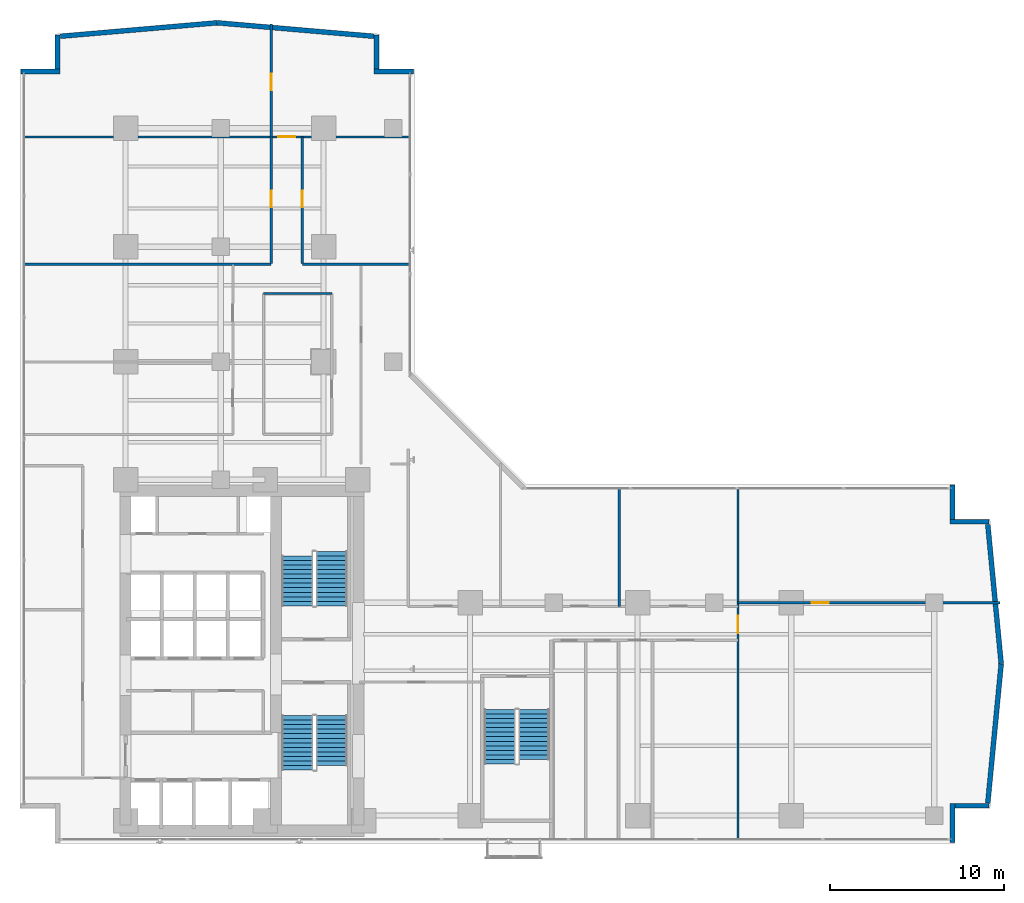
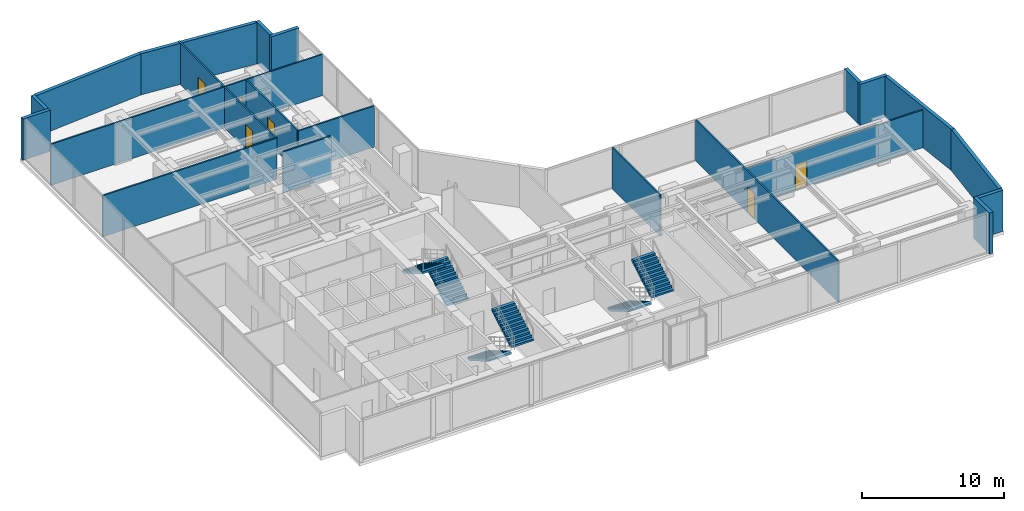
# One storey, part 21 of 26: 22 walls, 6 doors, 6 stair flights, 6 openings, 3 elements without a shape of their own.
"""IFC4 building model written with IfcOpenShell, lengths in metres."""

from ifc_helpers import new_model, si_unit, direction, frame, frame_2d, origin, place, context, subcontext, project, spatial, polyline, rectangle, outline, extrude, material, layer, layer_set, type_object, element, fill, aggregate, save


model = new_model("IFC4")

# Units and contexts
model_context = context("Model", 3, precision=1e-05, world=origin(), true_north=direction((0.0, 1.0)))
body_context = subcontext(model_context, "Body", "Model", "MODEL_VIEW")
ifc_project = project(units=[si_unit("LENGTHUNIT", "METRE"), si_unit("AREAUNIT", "SQUARE_METRE"), si_unit("VOLUMEUNIT", "CUBIC_METRE"), si_unit("PLANEANGLEUNIT", "RADIAN"), si_unit("MASSUNIT", "GRAM", prefix="KILO")], contexts=[model_context])

# Site, building, storey
site_placement = place(None, origin())
site = spatial("IfcSite", under=ifc_project, at=site_placement, CompositionType="ELEMENT")
building_placement = place(site_placement, origin())
building = spatial("IfcBuilding", under=site, at=building_placement, Name="Kolvaren Waterfront Exchange", CompositionType="ELEMENT")
storey_placement = place(building_placement, frame((0.0, 0.0, 125.89990234375)))
storey = spatial("IfcBuildingStorey", under=building, at=storey_placement, Name="L32", CompositionType="ELEMENT", Elevation=125.89990234375)

# Walls
ifc_material_1 = material(Name="Precast concrete C40/50", Category="concrete")
ifc_layer_1 = layer(ifc_material_1, 0.280029296875, Name="Precast concrete C40/50")
ifc_layer_set_1 = layer_set([ifc_layer_1], Name="Precast concrete C40/50")
wall_type_1 = type_object("IfcWallType", Name="ARC-EXT-TERR-280", PredefinedType="SOLIDWALL", material=ifc_layer_set_1)
wall_1_placement = place(storey_placement, frame((54.840087890625, 3.659912109375, 0.0), z_axis=(0.0, 0.0, 1.0), x_axis=(0.0, 1.0, 0.0)))
element("IfcWall", 1, at=wall_1_placement, inside=storey, type_object=wall_type_1, Name="L32 notched corner spandrel pier SE-A", PredefinedType="SOLIDWALL", context=body_context, shape_type="SweptSolid", body=[
    extrude(rectangle(XDim=2.239990234375, YDim=0.280029296875, at=frame_2d((1.1201171875, 0.0))), origin(), (0.0, 0.0, 1.0), 3.5400390625),
])
wall_2_placement = place(storey_placement, frame((54.97998046875, 5.760009765625, 0.0), z_axis=(0.0, 0.0, 1.0), x_axis=(1.0, 0.0, 0.0)))
element("IfcWall", 2, at=wall_2_placement, inside=storey, type_object=wall_type_1, Name="L32 notched corner spandrel pier SE-B", PredefinedType="SOLIDWALL", context=body_context, shape_type="SweptSolid", body=[
    extrude(rectangle(XDim=1.9599609375, YDim=0.280029296875, at=frame_2d((0.97998046875, 0.0))), origin(), (0.0, 0.0, 1.0), 3.5400390625),
])
wall_3_placement = place(storey_placement, frame((54.840087890625, 22.1650390625, 0.0), z_axis=(0.0, 0.0, 1.0), x_axis=(0.0, 1.0, 0.0)))
element("IfcWall", 3, at=wall_3_placement, inside=storey, type_object=wall_type_1, Name="L32 notched corner spandrel pier ENE-A", PredefinedType="SOLIDWALL", context=body_context, shape_type="SweptSolid", body=[
    extrude(rectangle(XDim=1.974853515625, YDim=0.280029296875, at=frame_2d((0.9873046875, 0.0))), origin(), (0.0, 0.0, 1.0), 3.5400390625),
])
for number, where, z_axis, x_axis, name in (
    (4, (54.699951171875, 22.0400390625, 0.0), (0.0, 0.0, 1.0), (1.0, 0.0, 0.0), "L32 notched corner spandrel pier ENE-B"),
    (5, (21.699951171875, 47.840087890625, 0.0), (0.0, 0.0, 1.0), (1.0, 0.0, 0.0), "L32 notched corner spandrel pier NNE-A"),
):
    element("IfcWall", number, at=place(storey_placement, frame(where, z_axis=z_axis, x_axis=x_axis)), inside=storey, type_object=wall_type_1, Name=name, PredefinedType="SOLIDWALL", context=body_context, shape_type="SweptSolid", body=[
        extrude(rectangle(XDim=2.239990234375, YDim=0.280029296875, at=frame_2d((1.1201171875, 0.0))), origin(), (0.0, 0.0, 1.0), 3.5400390625),
    ])
wall_4_placement = place(storey_placement, frame((21.840087890625, 47.97998046875, 0.0), z_axis=(0.0, 0.0, 1.0), x_axis=(0.0, 1.0, 0.0)))
element("IfcWall", 6, at=wall_4_placement, inside=storey, type_object=wall_type_1, Name="L32 notched corner spandrel pier NNE-B", PredefinedType="SOLIDWALL", context=body_context, shape_type="SweptSolid", body=[
    extrude(rectangle(XDim=1.9599609375, YDim=0.280029296875, at=frame_2d((0.97998046875, 0.0))), origin(), (0.0, 0.0, 1.0), 3.5400390625),
])
wall_5_placement = place(storey_placement, frame((1.4599609375, 47.840087890625, 0.0), z_axis=(0.0, 0.0, 1.0), x_axis=(1.0, 0.0, 0.0)))
element("IfcWall", 7, at=wall_5_placement, inside=storey, type_object=wall_type_1, Name="L32 notched corner spandrel pier NW-A", PredefinedType="SOLIDWALL", context=body_context, shape_type="SweptSolid", body=[
    extrude(rectangle(XDim=2.239990234375, YDim=0.280029296875, at=frame_2d((1.1201171875, 0.0))), origin(), (0.0, 0.0, 1.0), 3.5400390625),
])
wall_6_placement = place(storey_placement, frame((3.56005859375, 47.97998046875, 0.0), z_axis=(0.0, 0.0, 1.0), x_axis=(0.0, 1.0, 0.0)))
element("IfcWall", 8, at=wall_6_placement, inside=storey, type_object=wall_type_1, Name="L32 notched corner spandrel pier NW-B", PredefinedType="SOLIDWALL", context=body_context, shape_type="SweptSolid", body=[
    extrude(rectangle(XDim=1.9599609375, YDim=0.280029296875, at=frame_2d((0.97998046875, 0.0))), origin(), (0.0, 0.0, 1.0), 3.5400390625),
])
for number, where, z_axis, x_axis, name in (
    (9, (56.869384765625, 5.9140625, 0.0), (0.0, 0.0, 1.0), (0.095969995245, 0.995384227328, 0.0), "L32 east prow faceted facade wall 1"),
    (10, (57.638916015625, 13.904541015625, 0.0), (0.0, 0.0, 1.0), (-0.095969995245, 0.995384227328, 0.0), "L32 east prow faceted facade wall 2"),
):
    element("IfcWall", number, at=place(storey_placement, frame(where, z_axis=z_axis, x_axis=x_axis)), inside=storey, type_object=wall_type_1, Name=name, PredefinedType="SOLIDWALL", context=body_context, shape_type="SweptSolid", body=[
        extrude(rectangle(XDim=8.0185546875, YDim=0.280029296875, at=frame_2d((4.00927734375, 0.0))), origin(), (0.0, 0.0, 1.0), 3.5400390625),
    ])
for number, where, z_axis, x_axis, name in (
    (11, (21.6875, 49.8662109375, 0.0), (0.0, 0.0, 1.0), (-0.996319339243, 0.085719159179, 0.0), "L32 north prow faceted facade wall 1"),
    (12, (12.69384765625, 50.638916015625, 0.0), (0.0, 0.0, 1.0), (-0.996319339243, -0.085719159179, 0.0), "L32 north prow faceted facade wall 2"),
):
    element("IfcWall", number, at=place(storey_placement, frame(where, z_axis=z_axis, x_axis=x_axis)), inside=storey, type_object=wall_type_1, Name=name, PredefinedType="SOLIDWALL", context=body_context, shape_type="SweptSolid", body=[
        extrude(rectangle(XDim=9.014404296875, YDim=0.280029296875, at=frame_2d((4.50732421875, 0.0))), origin(), (0.0, 0.0, 1.0), 3.5400390625),
    ])
ifc_material_2 = material(Name="Acoustic gypsum steel stud", Category="steel")
ifc_layer_2 = layer(ifc_material_2, 0.125, Name="Acoustic gypsum steel stud")
ifc_layer_set_2 = layer_set([ifc_layer_2], Name="Acoustic gypsum steel stud")
wall_type_2 = type_object("IfcWallType", Name="ARC-PART-125", PredefinedType="PARTITIONING", material=ifc_layer_set_2)
wall_7_placement = place(storey_placement, frame((15.35009765625, 35.1201171875, 0.0), z_axis=(0.0, 0.0, 1.0), x_axis=(1.0, 0.0, 0.0)))
element("IfcWall", 13, at=wall_7_placement, inside=storey, type_object=wall_type_2, Name="L32 interior wall PW-L32-ISL-N", PredefinedType="PARTITIONING", context=body_context, shape_type="SweptSolid", body=[
    extrude(rectangle(XDim=3.919921875, YDim=0.125, at=frame_2d((1.9599609375, 0.0))), origin(), (0.0, 0.0, 1.0), 3.5400390625),
])
wall_8_placement = place(storey_placement, frame((1.639892578125, 36.800048828125, 0.0), z_axis=(0.0, 0.0, 1.0), x_axis=(1.0, 0.0, 0.0)))
element("IfcWall", 14, at=wall_8_placement, inside=storey, type_object=wall_type_2, Name="L32 interior wall PW-L32-MWL-N", PredefinedType="PARTITIONING", context=body_context, shape_type="SweptSolid", body=[
    extrude(rectangle(XDim=14.16015625, YDim=0.125, at=frame_2d((7.080078125, 0.0))), origin(), (0.0, 0.0, 1.0), 3.5400390625),
])
wall_9_placement = place(storey_placement, frame((17.580078125, 36.800048828125, 0.0), z_axis=(0.0, 0.0, 1.0), x_axis=(1.0, 0.0, 0.0)))
element("IfcWall", 15, at=wall_9_placement, inside=storey, type_object=wall_type_2, Name="L32 interior wall PW-L32-RFLANK-N", PredefinedType="PARTITIONING", context=body_context, shape_type="SweptSolid", body=[
    extrude(rectangle(XDim=6.179931640625, YDim=0.125, at=frame_2d((3.08984375, 0.0))), origin(), (0.0, 0.0, 1.0), 3.5400390625),
])

# Wall, opening, door
wall_10_placement = place(storey_placement, frame((42.550048828125, 3.840087890625, 0.0), z_axis=(0.0, 0.0, 1.0), x_axis=(0.0, 1.0, 0.0)))
wall_10 = element("IfcWall", 16, at=wall_10_placement, inside=storey, type_object=wall_type_2, Name="L32 interior wall PW-L32-ETIP-W", PredefinedType="PARTITIONING", context=body_context, shape_type="SweptSolid", body=[
    extrude(rectangle(XDim=20.119873046875, YDim=0.125, at=frame_2d((10.06005859375, 0.0))), origin(), (0.0, 0.0, 1.0), 3.5400390625),
])
opening_1_placement = place(wall_10_placement, frame((11.81005859375, 0.0, 0.0)))
opening_1 = element("IfcOpeningElement", 17, at=opening_1_placement, cuts=wall_10, Name="Opening D03", PredefinedType="OPENING", context=body_context, shape_type="SweptSolid", body=[
    extrude(rectangle(XDim=1.0, YDim=2.199951171875, at=frame_2d((0.5, 1.10009765625))), frame((0.0, 0.072509765625, 0.0), z_axis=(0.0, -1.0, 0.0), x_axis=(1.0, 0.0, 0.0)), (0.0, 0.0, 1.0), 0.14501953125),
])
ifc_material_3 = material(Name="Oak veneer accessible timber", Category="wood")
door_type_1 = type_object("IfcDoorType", Name="ARC-DR-1000", OperationType="NOTDEFINED", PredefinedType="DOOR", material=ifc_material_3)
door_1_placement = place(opening_1_placement, origin())
door_1 = element("IfcDoor", 18, at=door_1_placement, inside=storey, type_object=door_type_1, Name="L32 door DR-L32-ETIP1-D (D03)", OperationType="SINGLE_SWING_RIGHT", OverallHeight=2.199951171875, OverallWidth=1.0, PredefinedType="DOOR", context=body_context, shape_type="SweptSolid", body=[
    extrude(rectangle(XDim=1.0, YDim=2.199951171875, at=frame_2d((0.5, 1.10009765625))), frame((0.0, 0.02490234375, 0.0), z_axis=(0.0, -1.0, 0.0), x_axis=(1.0, 0.0, 0.0)), (0.0, 0.0, 1.0), 0.050048828125),
])
fill(opening_1, door_1)

wall_11_placement = place(storey_placement, frame((42.550048828125, 17.39990234375, 0.0), z_axis=(0.0, 0.0, 1.0), x_axis=(1.0, 0.0, 0.0)))
wall_11 = element("IfcWall", 19, at=wall_11_placement, inside=storey, type_object=wall_type_2, Name="L32 interior wall PW-L32-ETIP-MID", PredefinedType="PARTITIONING", context=body_context, shape_type="SweptSolid", body=[
    extrude(rectangle(XDim=15.010009765625, YDim=0.125, at=frame_2d((7.5048828125, 0.0))), origin(), (0.0, 0.0, 1.0), 3.239990234375),
])
opening_2_placement = place(wall_11_placement, frame((4.24365234375, 0.0, 0.0)))
opening_2 = element("IfcOpeningElement", 20, at=opening_2_placement, cuts=wall_11, Name="Opening D02", PredefinedType="OPENING", context=body_context, shape_type="SweptSolid", body=[
    extrude(rectangle(XDim=0.949951171875, YDim=2.14990234375, at=frame_2d((0.47509765625, 1.074951171875))), frame((0.0, 0.072509765625, 0.0), z_axis=(0.0, -1.0, 0.0), x_axis=(1.0, 0.0, 0.0)), (0.0, 0.0, 1.0), 0.14501953125),
])
ifc_material_4 = material(Name="Oak veneer acoustic timber", Category="wood")
door_type_2 = type_object("IfcDoorType", Name="ARC-DR-950", OperationType="NOTDEFINED", PredefinedType="DOOR", material=ifc_material_4)
door_2_placement = place(opening_2_placement, origin())
door_2 = element("IfcDoor", 21, at=door_2_placement, inside=storey, type_object=door_type_2, Name="L32 door DR-L32-ETIP2-D (D02)", OperationType="SINGLE_SWING_LEFT", OverallHeight=2.14990234375, OverallWidth=0.949951171875, PredefinedType="DOOR", context=body_context, shape_type="SweptSolid", body=[
    extrude(rectangle(XDim=0.949951171875, YDim=2.14990234375, at=frame_2d((0.47509765625, 1.074951171875))), frame((0.0, 0.02490234375, 0.0), z_axis=(0.0, -1.0, 0.0), x_axis=(1.0, 0.0, 0.0)), (0.0, 0.0, 1.0), 0.050048828125),
])
fill(opening_2, door_2)

# Wall
wall_12_placement = place(storey_placement, frame((35.75, 17.18994140625, 0.0), z_axis=(0.0, 0.0, 1.0), x_axis=(0.0, 1.0, 0.0)))
element("IfcWall", 22, at=wall_12_placement, inside=storey, type_object=wall_type_2, Name="L32 interior wall PW-L32-EN-DIV-2", PredefinedType="PARTITIONING", context=body_context, shape_type="SweptSolid", body=[
    extrude(rectangle(XDim=6.77001953125, YDim=0.125, at=frame_2d((3.385009765625, 0.0))), origin(), (0.0, 0.0, 1.0), 3.5400390625),
])

# Wall, opening, door
wall_13_placement = place(storey_placement, frame((15.800048828125, 36.85009765625, 0.0), z_axis=(0.0, 0.0, 1.0), x_axis=(0.0, 1.0, 0.0)))
wall_13 = element("IfcWall", 23, at=wall_13_placement, inside=storey, type_object=wall_type_2, Name="L32 interior wall PW-L32-NW-CORR", PredefinedType="PARTITIONING", context=body_context, shape_type="SweptSolid", body=[
    extrude(rectangle(XDim=7.25, YDim=0.125, at=frame_2d((3.625, 0.0))), origin(), (0.0, 0.0, 1.0), 3.5400390625),
])
opening_3_placement = place(wall_13_placement, frame((3.220458984375, 0.0, 0.0)))
opening_3 = element("IfcOpeningElement", 24, at=opening_3_placement, cuts=wall_13, Name="Opening D02", PredefinedType="OPENING", context=body_context, shape_type="SweptSolid", body=[
    extrude(rectangle(XDim=0.949951171875, YDim=2.14990234375, at=frame_2d((0.47509765625, 1.074951171875))), frame((0.0, 0.072509765625, 0.0), z_axis=(0.0, -1.0, 0.0), x_axis=(1.0, 0.0, 0.0)), (0.0, 0.0, 1.0), 0.14501953125),
])
door_3_placement = place(opening_3_placement, origin())
door_3 = element("IfcDoor", 25, at=door_3_placement, inside=storey, type_object=door_type_2, Name="L32 door DR-L32-NW-D-1 (D02)", OperationType="SINGLE_SWING_LEFT", OverallHeight=2.14990234375, OverallWidth=0.949951171875, PredefinedType="DOOR", context=body_context, shape_type="SweptSolid", body=[
    extrude(rectangle(XDim=0.949951171875, YDim=2.14990234375, at=frame_2d((0.47509765625, 1.074951171875))), frame((0.0, 0.02490234375, 0.0), z_axis=(0.0, -1.0, 0.0), x_axis=(1.0, 0.0, 0.0)), (0.0, 0.0, 1.0), 0.050048828125),
])
fill(opening_3, door_3)

wall_14_placement = place(storey_placement, frame((1.639892578125, 44.10009765625, 0.0), z_axis=(0.0, 0.0, 1.0), x_axis=(1.0, 0.0, 0.0)))
wall_14 = element("IfcWall", 26, at=wall_14_placement, inside=storey, type_object=wall_type_2, Name="L32 interior wall PW-L32-NTIP-S", PredefinedType="PARTITIONING", context=body_context, shape_type="SweptSolid", body=[
    extrude(rectangle(XDim=22.1201171875, YDim=0.125, at=frame_2d((11.06005859375, 0.0))), origin(), (0.0, 0.0, 1.0), 3.5400390625),
])
opening_4_placement = place(wall_14_placement, frame((14.550048828125, 0.0, 0.0)))
opening_4 = element("IfcOpeningElement", 27, at=opening_4_placement, cuts=wall_14, Name="Opening D03", PredefinedType="OPENING", context=body_context, shape_type="SweptSolid", body=[
    extrude(rectangle(XDim=1.0, YDim=2.199951171875, at=frame_2d((0.5, 1.10009765625))), frame((0.0, 0.072509765625, 0.0), z_axis=(0.0, -1.0, 0.0), x_axis=(1.0, 0.0, 0.0)), (0.0, 0.0, 1.0), 0.14501953125),
])
door_4_placement = place(opening_4_placement, origin())
door_4 = element("IfcDoor", 28, at=door_4_placement, inside=storey, type_object=door_type_1, Name="L32 door DR-L32-NTIPE-D (D03)", OperationType="SINGLE_SWING_RIGHT", OverallHeight=2.199951171875, OverallWidth=1.0, PredefinedType="DOOR", context=body_context, shape_type="SweptSolid", body=[
    extrude(rectangle(XDim=1.0, YDim=2.199951171875, at=frame_2d((0.5, 1.10009765625))), frame((0.0, 0.02490234375, 0.0), z_axis=(0.0, -1.0, 0.0), x_axis=(1.0, 0.0, 0.0)), (0.0, 0.0, 1.0), 0.050048828125),
])
fill(opening_4, door_4)

wall_15_placement = place(storey_placement, frame((15.800048828125, 44.10009765625, 0.0), z_axis=(0.0, 0.0, 1.0), x_axis=(0.0, 1.0, 0.0)))
wall_15 = element("IfcWall", 29, at=wall_15_placement, inside=storey, type_object=wall_type_2, Name="L32 interior wall PW-L32-NTIP-DIV", PredefinedType="PARTITIONING", context=body_context, shape_type="SweptSolid", body=[
    extrude(rectangle(XDim=6.4599609375, YDim=0.125, at=frame_2d((3.22998046875, 0.0))), origin(), (0.0, 0.0, 1.0), 3.5400390625),
])
opening_5_placement = place(wall_15_placement, frame((2.677490234375, 0.0, 0.0)))
opening_5 = element("IfcOpeningElement", 30, at=opening_5_placement, cuts=wall_15, Name="Opening D02", PredefinedType="OPENING", context=body_context, shape_type="SweptSolid", body=[
    extrude(rectangle(XDim=0.949951171875, YDim=2.14990234375, at=frame_2d((0.47509765625, 1.074951171875))), frame((0.0, 0.072509765625, 0.0), z_axis=(0.0, -1.0, 0.0), x_axis=(1.0, 0.0, 0.0)), (0.0, 0.0, 1.0), 0.14501953125),
])
door_5_placement = place(opening_5_placement, origin())
door_5 = element("IfcDoor", 31, at=door_5_placement, inside=storey, type_object=door_type_2, Name="L32 door DR-L32-NTIPW-D (D02)", OperationType="SINGLE_SWING_LEFT", OverallHeight=2.14990234375, OverallWidth=0.949951171875, PredefinedType="DOOR", context=body_context, shape_type="SweptSolid", body=[
    extrude(rectangle(XDim=0.949951171875, YDim=2.14990234375, at=frame_2d((0.47509765625, 1.074951171875))), frame((0.0, 0.02490234375, 0.0), z_axis=(0.0, -1.0, 0.0), x_axis=(1.0, 0.0, 0.0)), (0.0, 0.0, 1.0), 0.050048828125),
])
fill(opening_5, door_5)

wall_16_placement = place(storey_placement, frame((17.580078125, 36.85009765625, 0.0), z_axis=(0.0, 0.0, 1.0), x_axis=(0.0, 1.0, 0.0)))
wall_16 = element("IfcWall", 32, at=wall_16_placement, inside=storey, type_object=wall_type_2, Name="L32 interior wall PW-L32-NE-CORR", PredefinedType="PARTITIONING", context=body_context, shape_type="SweptSolid", body=[
    extrude(rectangle(XDim=7.25, YDim=0.125, at=frame_2d((3.625, 0.0))), origin(), (0.0, 0.0, 1.0), 3.5400390625),
])
opening_6_placement = place(wall_16_placement, frame((3.220458984375, 0.0, 0.0)))
opening_6 = element("IfcOpeningElement", 33, at=opening_6_placement, cuts=wall_16, Name="Opening D02", PredefinedType="OPENING", context=body_context, shape_type="SweptSolid", body=[
    extrude(rectangle(XDim=0.949951171875, YDim=2.14990234375, at=frame_2d((0.47509765625, 1.074951171875))), frame((0.0, 0.072509765625, 0.0), z_axis=(0.0, -1.0, 0.0), x_axis=(1.0, 0.0, 0.0)), (0.0, 0.0, 1.0), 0.14501953125),
])
door_6_placement = place(opening_6_placement, origin())
door_6 = element("IfcDoor", 34, at=door_6_placement, inside=storey, type_object=door_type_2, Name="L32 door DR-L32-NE-D-1 (D02)", OperationType="SINGLE_SWING_RIGHT", OverallHeight=2.14990234375, OverallWidth=0.949951171875, PredefinedType="DOOR", context=body_context, shape_type="SweptSolid", body=[
    extrude(rectangle(XDim=0.949951171875, YDim=2.14990234375, at=frame_2d((0.47509765625, 1.074951171875))), frame((0.0, 0.02490234375, 0.0), z_axis=(0.0, -1.0, 0.0), x_axis=(1.0, 0.0, 0.0)), (0.0, 0.0, 1.0), 0.050048828125),
])
fill(opening_6, door_6)

# Stair, stair flights
ifc_material_5 = material(Name="Concrete C40/50", Category="concrete")
stair_type = type_object("IfcStairType", Name="ARC-STAIR-3800", PredefinedType="HALF_TURN_STAIR", material=ifc_material_5)
stair_1_placement = place(storey_placement, origin())
stair_1 = element("IfcStair", 35, at=stair_1_placement, inside=storey, type_object=stair_type, Name="L32 Smoke-proof exit stair ST1", PredefinedType="HALF_TURN_STAIR")
stair_flight_type = type_object("IfcStairFlightType", Name="ARC-FLIGHT-3800", PredefinedType="STRAIGHT", material=ifc_material_5)
stair_flight_1_placement = place(storey_placement, frame((17.300048828125, 10.929931640625, 0.0), z_axis=(0.0, 0.0, 1.0), x_axis=(0.0, -1.0, 0.0)))
stair_flight_1 = element("IfcStairFlight", 36, at=stair_flight_1_placement, type_object=stair_flight_type, Name="ST1 flight 1", NumberOfRisers=13, NumberOfTreads=12, PredefinedType="STRAIGHT", RiserHeight=0.152, TreadLength=0.26, context=body_context, shape_type="SweptSolid", body=[
    extrude(outline(polyline([(0.0, 0.0), (0.0, 0.152099609375), (0.260009765625, 0.152099609375), (0.260009765625, 0.303955078125), (0.52001953125, 0.303955078125), (0.52001953125, 0.4560546875), (0.780029296875, 0.4560546875), (0.780029296875, 0.60791015625), (1.0400390625, 0.60791015625), (1.0400390625, 0.760009765625), (1.300048828125, 0.760009765625), (1.300048828125, 0.912109375), (1.56005859375, 0.912109375), (1.56005859375, 1.06396484375), (1.820068359375, 1.06396484375), (1.820068359375, 1.216064453125), (2.080078125, 1.216064453125), (2.080078125, 1.367919921875), (2.340087890625, 1.367919921875), (2.340087890625, 1.52001953125), (2.60009765625, 1.52001953125), (2.60009765625, 1.672119140625), (2.860107421875, 1.672119140625), (2.860107421875, 1.823974609375), (3.1201171875, 1.823974609375), (3.1201171875, 1.97607421875), (3.1201171875, 1.650390625), (0.297119140625, 0.0), (0.0, 0.0)])), frame((0.0, 0.89990234375, 0.0), z_axis=(0.0, -1.0, 0.0), x_axis=(1.0, 0.0, 0.0)), (0.0, 0.0, 1.0), 1.800048828125),
])
stair_flight_2_placement = place(storey_placement, frame((19.260009765625, 8.070068359375, 1.97607421875), z_axis=(0.0, 0.0, 1.0), x_axis=(0.0, 1.0, 0.0)))
stair_flight_2 = element("IfcStairFlight", 37, at=stair_flight_2_placement, type_object=stair_flight_type, Name="ST1 flight 2", NumberOfRisers=12, NumberOfTreads=11, PredefinedType="STRAIGHT", RiserHeight=0.152, TreadLength=0.26, context=body_context, shape_type="SweptSolid", body=[
    extrude(outline(polyline([(0.0, 0.0), (0.0, 0.152099609375), (0.260009765625, 0.152099609375), (0.260009765625, 0.303955078125), (0.52001953125, 0.303955078125), (0.52001953125, 0.4560546875), (0.780029296875, 0.4560546875), (0.780029296875, 0.60791015625), (1.0400390625, 0.60791015625), (1.0400390625, 0.760009765625), (1.300048828125, 0.760009765625), (1.300048828125, 0.912109375), (1.56005859375, 0.912109375), (1.56005859375, 1.06396484375), (1.820068359375, 1.06396484375), (1.820068359375, 1.216064453125), (2.080078125, 1.216064453125), (2.080078125, 1.367919921875), (2.340087890625, 1.367919921875), (2.340087890625, 1.52001953125), (2.60009765625, 1.52001953125), (2.60009765625, 1.672119140625), (2.860107421875, 1.672119140625), (2.860107421875, 1.823974609375), (2.860107421875, 1.498291015625), (0.297119140625, 0.0), (0.0, 0.0)])), frame((0.0, 0.89990234375, 0.0), z_axis=(0.0, -1.0, 0.0), x_axis=(1.0, 0.0, 0.0)), (0.0, 0.0, 1.0), 1.800048828125),
])
aggregate(stair_1, [stair_flight_1, stair_flight_2])

stair_2_placement = place(storey_placement, origin())
stair_2 = element("IfcStair", 38, at=stair_2_placement, inside=storey, type_object=stair_type, Name="L32 Smoke-proof exit stair ST2", PredefinedType="HALF_TURN_STAIR")
stair_flight_3_placement = place(storey_placement, frame((19.260009765625, 17.219970703125, 0.0), z_axis=(0.0, 0.0, 1.0), x_axis=(0.0, 1.0, 0.0)))
stair_flight_3 = element("IfcStairFlight", 39, at=stair_flight_3_placement, type_object=stair_flight_type, Name="ST2 flight 1", NumberOfRisers=13, NumberOfTreads=12, PredefinedType="STRAIGHT", RiserHeight=0.152, TreadLength=0.26, context=body_context, shape_type="SweptSolid", body=[
    extrude(outline(polyline([(0.0, 0.0), (0.0, 0.152099609375), (0.260009765625, 0.152099609375), (0.260009765625, 0.303955078125), (0.52001953125, 0.303955078125), (0.52001953125, 0.4560546875), (0.780029296875, 0.4560546875), (0.780029296875, 0.60791015625), (1.0400390625, 0.60791015625), (1.0400390625, 0.760009765625), (1.300048828125, 0.760009765625), (1.300048828125, 0.912109375), (1.56005859375, 0.912109375), (1.56005859375, 1.06396484375), (1.820068359375, 1.06396484375), (1.820068359375, 1.216064453125), (2.080078125, 1.216064453125), (2.080078125, 1.367919921875), (2.340087890625, 1.367919921875), (2.340087890625, 1.52001953125), (2.60009765625, 1.52001953125), (2.60009765625, 1.672119140625), (2.860107421875, 1.672119140625), (2.860107421875, 1.823974609375), (3.1201171875, 1.823974609375), (3.1201171875, 1.97607421875), (3.1201171875, 1.650390625), (0.297119140625, 0.0), (0.0, 0.0)])), frame((0.0, 0.89990234375, 0.0), z_axis=(0.0, -1.0, 0.0), x_axis=(1.0, 0.0, 0.0)), (0.0, 0.0, 1.0), 1.800048828125),
])
stair_flight_4_placement = place(storey_placement, frame((17.300048828125, 20.080078125, 1.97607421875), z_axis=(0.0, 0.0, 1.0), x_axis=(0.0, -1.0, 0.0)))
stair_flight_4 = element("IfcStairFlight", 40, at=stair_flight_4_placement, type_object=stair_flight_type, Name="ST2 flight 2", NumberOfRisers=12, NumberOfTreads=11, PredefinedType="STRAIGHT", RiserHeight=0.152, TreadLength=0.26, context=body_context, shape_type="SweptSolid", body=[
    extrude(outline(polyline([(0.0, 0.0), (0.0, 0.152099609375), (0.260009765625, 0.152099609375), (0.260009765625, 0.303955078125), (0.52001953125, 0.303955078125), (0.52001953125, 0.4560546875), (0.780029296875, 0.4560546875), (0.780029296875, 0.60791015625), (1.0400390625, 0.60791015625), (1.0400390625, 0.760009765625), (1.300048828125, 0.760009765625), (1.300048828125, 0.912109375), (1.56005859375, 0.912109375), (1.56005859375, 1.06396484375), (1.820068359375, 1.06396484375), (1.820068359375, 1.216064453125), (2.080078125, 1.216064453125), (2.080078125, 1.367919921875), (2.340087890625, 1.367919921875), (2.340087890625, 1.52001953125), (2.60009765625, 1.52001953125), (2.60009765625, 1.672119140625), (2.860107421875, 1.672119140625), (2.860107421875, 1.823974609375), (2.860107421875, 1.498291015625), (0.297119140625, 0.0), (0.0, 0.0)])), frame((0.0, 0.89990234375, 0.0), z_axis=(0.0, -1.0, 0.0), x_axis=(1.0, 0.0, 0.0)), (0.0, 0.0, 1.0), 1.800048828125),
])
aggregate(stair_2, [stair_flight_3, stair_flight_4])

stair_3_placement = place(storey_placement, origin())
stair_3 = element("IfcStair", 41, at=stair_3_placement, inside=storey, type_object=stair_type, Name="L32 Exit stair ST3", PredefinedType="HALF_TURN_STAIR")
stair_flight_5_placement = place(storey_placement, frame((28.89990234375, 11.280029296875, 0.0), z_axis=(0.0, 0.0, 1.0), x_axis=(0.0, -1.0, 0.0)))
stair_flight_5 = element("IfcStairFlight", 42, at=stair_flight_5_placement, type_object=stair_flight_type, Name="ST3 flight 1", NumberOfRisers=13, NumberOfTreads=12, PredefinedType="STRAIGHT", RiserHeight=0.152, TreadLength=0.26, context=body_context, shape_type="SweptSolid", body=[
    extrude(outline(polyline([(0.0, 0.0), (0.0, 0.152099609375), (0.260009765625, 0.152099609375), (0.260009765625, 0.303955078125), (0.52001953125, 0.303955078125), (0.52001953125, 0.4560546875), (0.780029296875, 0.4560546875), (0.780029296875, 0.60791015625), (1.0400390625, 0.60791015625), (1.0400390625, 0.760009765625), (1.300048828125, 0.760009765625), (1.300048828125, 0.912109375), (1.56005859375, 0.912109375), (1.56005859375, 1.06396484375), (1.820068359375, 1.06396484375), (1.820068359375, 1.216064453125), (2.080078125, 1.216064453125), (2.080078125, 1.367919921875), (2.340087890625, 1.367919921875), (2.340087890625, 1.52001953125), (2.60009765625, 1.52001953125), (2.60009765625, 1.672119140625), (2.860107421875, 1.672119140625), (2.860107421875, 1.823974609375), (3.1201171875, 1.823974609375), (3.1201171875, 1.97607421875), (3.1201171875, 1.650390625), (0.297119140625, 0.0), (0.0, 0.0)])), frame((0.0, 0.89990234375, 0.0), z_axis=(0.0, -1.0, 0.0), x_axis=(1.0, 0.0, 0.0)), (0.0, 0.0, 1.0), 1.800048828125),
])
stair_flight_6_placement = place(storey_placement, frame((30.860107421875, 8.419921875, 1.97607421875), z_axis=(0.0, 0.0, 1.0), x_axis=(0.0, 1.0, 0.0)))
stair_flight_6 = element("IfcStairFlight", 43, at=stair_flight_6_placement, type_object=stair_flight_type, Name="ST3 flight 2", NumberOfRisers=12, NumberOfTreads=11, PredefinedType="STRAIGHT", RiserHeight=0.152, TreadLength=0.26, context=body_context, shape_type="SweptSolid", body=[
    extrude(outline(polyline([(0.0, 0.0), (0.0, 0.152099609375), (0.260009765625, 0.152099609375), (0.260009765625, 0.303955078125), (0.52001953125, 0.303955078125), (0.52001953125, 0.4560546875), (0.780029296875, 0.4560546875), (0.780029296875, 0.60791015625), (1.0400390625, 0.60791015625), (1.0400390625, 0.760009765625), (1.300048828125, 0.760009765625), (1.300048828125, 0.912109375), (1.56005859375, 0.912109375), (1.56005859375, 1.06396484375), (1.820068359375, 1.06396484375), (1.820068359375, 1.216064453125), (2.080078125, 1.216064453125), (2.080078125, 1.367919921875), (2.340087890625, 1.367919921875), (2.340087890625, 1.52001953125), (2.60009765625, 1.52001953125), (2.60009765625, 1.672119140625), (2.860107421875, 1.672119140625), (2.860107421875, 1.823974609375), (2.860107421875, 1.498291015625), (0.297119140625, 0.0), (0.0, 0.0)])), frame((0.0, 0.89990234375, 0.0), z_axis=(0.0, -1.0, 0.0), x_axis=(1.0, 0.0, 0.0)), (0.0, 0.0, 1.0), 1.800048828125),
])
aggregate(stair_3, [stair_flight_5, stair_flight_6])

save(model, "model.ifc")
